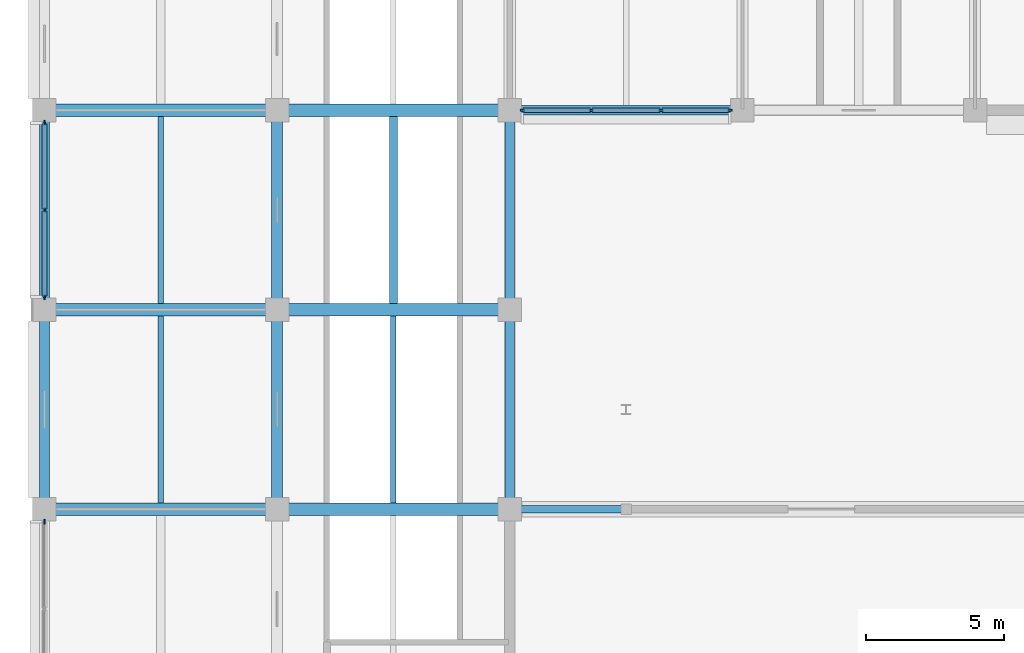
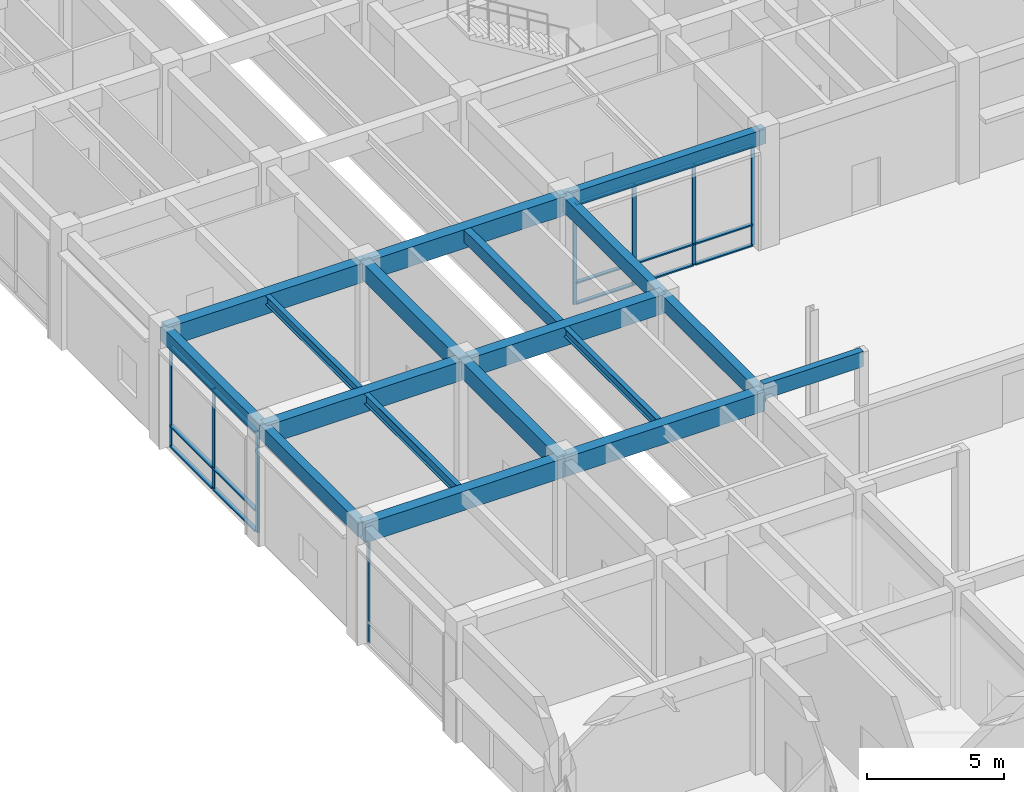
# One storey, part 12 of 73: 23 members, 18 beams, 3 elements without a shape of their own.
"""IFC4 building model written with IfcOpenShell, lengths in metres."""

from ifc_helpers import new_model, si_unit, direction, frame, origin, origin_2d, place, context, subcontext, project, spatial, rectangle, i_section, extrude, material, layer, layer_set, material_profile, profile_set, type_object, element, aggregate, save


model = new_model("IFC4")

# Units and contexts
model_context = context("Model", 3, precision=1e-05, world=origin(), true_north=direction((0.0, 1.0)))
body_context = subcontext(model_context, "Body", "Model", "MODEL_VIEW")
ifc_project = project(units=[si_unit("LENGTHUNIT", "METRE"), si_unit("AREAUNIT", "SQUARE_METRE"), si_unit("VOLUMEUNIT", "CUBIC_METRE"), si_unit("PLANEANGLEUNIT", "RADIAN"), si_unit("MASSUNIT", "GRAM", prefix="KILO")], contexts=[model_context])

# Site, building, storey
site_placement = place(None, origin())
site = spatial("IfcSite", under=ifc_project, at=site_placement, CompositionType="ELEMENT")
building_placement = place(site_placement, origin())
building = spatial("IfcBuilding", under=site, at=building_placement, Name="Chengyuan Square Courthouse", CompositionType="ELEMENT")
storey_placement = place(building_placement, origin())
storey = spatial("IfcBuildingStorey", under=building, at=storey_placement, Name="L01", CompositionType="ELEMENT", Elevation=0.0)

# Beams
ifc_material_1 = material(Name="Concrete C40", Category="concrete")
ifc_material_profile_1 = material_profile(ifc_material_1, rectangle(XDim=0.449951171875, YDim=0.85009765625, at=origin_2d()), Name="RC-BM-450x850")
ifc_profile_set_1 = profile_set([ifc_material_profile_1], Name="Concrete C40")
beam_type_1 = type_object("IfcBeamType", Name="BM-01", PredefinedType="USERDEFINED", material=ifc_profile_set_1)
beam_1_placement = place(storey_placement, frame((0.0, 64.800048828125, 4.695068359375), z_axis=(1.0, 0.0, 0.0), x_axis=(0.0, 1.0, 0.0)))
element("IfcBeam", 1, at=beam_1_placement, inside=storey, type_object=beam_type_1, Name="Girder BM-L01-1677", ObjectType="GIRDER", PredefinedType="USERDEFINED", context=body_context, shape_type="SweptSolid", body=[
    extrude(rectangle(XDim=0.449951171875, YDim=0.85009765625, at=origin_2d()), origin(), (0.0, 0.0, 1.0), 8.39990234375),
])
beam_2_placement = place(storey_placement, frame((8.39990234375, 64.800048828125, 4.695068359375), z_axis=(1.0, 0.0, 0.0), x_axis=(0.0, 1.0, 0.0)))
element("IfcBeam", 2, at=beam_2_placement, inside=storey, type_object=beam_type_1, Name="Girder BM-L01-1678", ObjectType="GIRDER", PredefinedType="USERDEFINED", context=body_context, shape_type="SweptSolid", body=[
    extrude(rectangle(XDim=0.449951171875, YDim=0.85009765625, at=origin_2d()), origin(), (0.0, 0.0, 1.0), 8.400146484375),
])
beam_3_placement = place(storey_placement, frame((0.0, 72.0, 4.695068359375), z_axis=(1.0, 0.0, 0.0), x_axis=(0.0, 1.0, 0.0)))
element("IfcBeam", 3, at=beam_3_placement, inside=storey, type_object=beam_type_1, Name="Girder BM-L01-1685", ObjectType="GIRDER", PredefinedType="USERDEFINED", context=body_context, shape_type="SweptSolid", body=[
    extrude(rectangle(XDim=0.449951171875, YDim=0.85009765625, at=origin_2d()), origin(), (0.0, 0.0, 1.0), 8.39990234375),
])
beam_4_placement = place(storey_placement, frame((8.39990234375, 72.0, 4.695068359375), z_axis=(1.0, 0.0, 0.0), x_axis=(0.0, 1.0, 0.0)))
element("IfcBeam", 4, at=beam_4_placement, inside=storey, type_object=beam_type_1, Name="Girder BM-L01-1686", ObjectType="GIRDER", PredefinedType="USERDEFINED", context=body_context, shape_type="SweptSolid", body=[
    extrude(rectangle(XDim=0.449951171875, YDim=0.85009765625, at=origin_2d()), origin(), (0.0, 0.0, 1.0), 8.400146484375),
])
beam_5_placement = place(storey_placement, frame((0.0, 79.199951171875, 4.695068359375), z_axis=(1.0, 0.0, 0.0), x_axis=(0.0, 1.0, 0.0)))
element("IfcBeam", 5, at=beam_5_placement, inside=storey, type_object=beam_type_1, Name="Girder BM-L01-1689", ObjectType="GIRDER", PredefinedType="USERDEFINED", context=body_context, shape_type="SweptSolid", body=[
    extrude(rectangle(XDim=0.449951171875, YDim=0.85009765625, at=origin_2d()), origin(), (0.0, 0.0, 1.0), 8.39990234375),
])
beam_6_placement = place(storey_placement, frame((8.39990234375, 79.199951171875, 4.695068359375), z_axis=(1.0, 0.0, 0.0), x_axis=(0.0, 1.0, 0.0)))
element("IfcBeam", 6, at=beam_6_placement, inside=storey, type_object=beam_type_1, Name="Girder BM-L01-1690", ObjectType="GIRDER", PredefinedType="USERDEFINED", context=body_context, shape_type="SweptSolid", body=[
    extrude(rectangle(XDim=0.449951171875, YDim=0.85009765625, at=origin_2d()), origin(), (0.0, 0.0, 1.0), 8.400146484375),
])
ifc_material_profile_2 = material_profile(ifc_material_1, rectangle(XDim=0.39990234375, YDim=0.75, at=origin_2d()), Name="RC-BM-400x750")
ifc_profile_set_2 = profile_set([ifc_material_profile_2], Name="Concrete C40")
beam_type_2 = type_object("IfcBeamType", Name="BM-02", PredefinedType="USERDEFINED", material=ifc_profile_set_2)
for number, where, z_axis, x_axis, name in (
    (7, (8.39990234375, 64.800048828125, 4.7451171875), (0.0, 1.0, 0.0), (-1.0, 0.0, 0.0), "Girder BM-L01-1821"),
    (8, (8.39990234375, 72.0, 4.7451171875), (0.0, 1.0, 0.0), (-1.0, 0.0, 0.0), "Girder BM-L01-1822"),
):
    element("IfcBeam", number, at=place(storey_placement, frame(where, z_axis=z_axis, x_axis=x_axis)), inside=storey, type_object=beam_type_2, Name=name, ObjectType="GIRDER", PredefinedType="USERDEFINED", context=body_context, shape_type="SweptSolid", body=[
        extrude(rectangle(XDim=0.39990234375, YDim=0.75, at=origin_2d()), origin(), (0.0, 0.0, 1.0), 7.199951171875),
    ])
ifc_material_profile_3 = material_profile(ifc_material_1, rectangle(XDim=0.35009765625, YDim=0.64990234375, at=origin_2d()), Name="RC-BM-350x650")
ifc_profile_set_3 = profile_set([ifc_material_profile_3], Name="Concrete C40")
beam_type_3 = type_object("IfcBeamType", Name="BM-03", PredefinedType="SPANDREL", material=ifc_profile_set_3)
beam_7_placement = place(storey_placement, frame((16.800048828125, 79.199951171875, 4.794921875), z_axis=(1.0, 0.0, 0.0), x_axis=(0.0, 1.0, 0.0)))
element("IfcBeam", 9, at=beam_7_placement, inside=storey, type_object=beam_type_3, Name="Girder BM-L01-1691", PredefinedType="SPANDREL", context=body_context, shape_type="SweptSolid", body=[
    extrude(rectangle(XDim=0.35009765625, YDim=0.64990234375, at=origin_2d()), origin(), (0.0, 0.0, 1.0), 8.39990234375),
])
for number, where, z_axis, x_axis, name in (
    (10, (0.0, 64.800048828125, 4.794921875), (0.0, 1.0, 0.0), (-1.0, 0.0, 0.0), "Girder BM-L01-1806"),
    (11, (0.0, 72.0, 4.794921875), (0.0, 1.0, 0.0), (-1.0, 0.0, 0.0), "Girder BM-L01-1807"),
    (12, (16.800048828125, 64.800048828125, 4.794921875), (0.0, 1.0, 0.0), (-1.0, 0.0, 0.0), "Girder BM-L01-1836"),
    (13, (16.800048828125, 72.0, 4.794921875), (0.0, 1.0, 0.0), (-1.0, 0.0, 0.0), "Girder BM-L01-1837"),
):
    element("IfcBeam", number, at=place(storey_placement, frame(where, z_axis=z_axis, x_axis=x_axis)), inside=storey, type_object=beam_type_3, Name=name, PredefinedType="SPANDREL", context=body_context, shape_type="SweptSolid", body=[
        extrude(rectangle(XDim=0.35009765625, YDim=0.64990234375, at=origin_2d()), origin(), (0.0, 0.0, 1.0), 7.199951171875),
    ])
ifc_material_profile_4 = material_profile(ifc_material_1, rectangle(XDim=0.300048828125, YDim=0.550048828125, at=origin_2d()), Name="RC-BM-300x550")
ifc_profile_set_4 = profile_set([ifc_material_profile_4], Name="Concrete C40")
beam_type_4 = type_object("IfcBeamType", Name="BM-04", PredefinedType="BEAM", material=ifc_profile_set_4)
beam_8_placement = place(storey_placement, frame((12.60009765625, 72.22509765625, 4.844970703125), z_axis=(0.0, 1.0, 0.0), x_axis=(-1.0, 0.0, 0.0)))
element("IfcBeam", 14, at=beam_8_placement, inside=storey, type_object=beam_type_4, Name="Secondary Floor Beam SBM-L01-1981", PredefinedType="BEAM", context=body_context, shape_type="SweptSolid", body=[
    extrude(rectangle(XDim=0.300048828125, YDim=0.550048828125, at=origin_2d()), origin(), (0.0, 0.0, 1.0), 6.75),
])
ifc_material_2 = material(Name="Steel Q355B", Category="steel")
ifc_material_profile_5 = material_profile(ifc_material_2, i_section(OverallWidth=0.199951171875, OverallDepth=0.449951171875, WebThickness=0.009033203125, FlangeThickness=0.013916015625, at=origin_2d()), Name="HN 450x200x9x14")
ifc_profile_set_5 = profile_set([ifc_material_profile_5], Name="Steel Q355B")
beam_type_5 = type_object("IfcBeamType", Name="BM-06", PredefinedType="BEAM", material=ifc_profile_set_5)
beam_9_placement = place(storey_placement, frame((4.199951171875, 65.02490234375, 4.89501953125), z_axis=(0.0, 1.0, 0.0), x_axis=(-1.0, 0.0, 0.0)))
element("IfcBeam", 15, at=beam_9_placement, inside=storey, type_object=beam_type_5, Name="Secondary Floor Beam SBM-L01-1966", PredefinedType="BEAM", context=body_context, shape_type="SweptSolid", body=[
    extrude(i_section(OverallWidth=0.199951171875, OverallDepth=0.449951171875, WebThickness=0.009033203125, FlangeThickness=0.013916015625, at=origin_2d()), origin(), (0.0, 0.0, 1.0), 6.75),
])
ifc_material_profile_6 = material_profile(ifc_material_2, i_section(OverallWidth=0.199951171875, OverallDepth=0.39990234375, WebThickness=0.008056640625, FlangeThickness=0.012939453125, at=origin_2d()), Name="HN 400x200x8x13")
ifc_profile_set_6 = profile_set([ifc_material_profile_6], Name="Steel Q355B")
beam_type_6 = type_object("IfcBeamType", Name="BM-07", PredefinedType="BEAM", material=ifc_profile_set_6)
for number, where, z_axis, x_axis, name in (
    (16, (4.199951171875, 72.22509765625, 4.919921875), (0.0, 1.0, 0.0), (-1.0, 0.0, 0.0), "Secondary Floor Beam SBM-L01-1967"),
    (17, (12.60009765625, 65.02490234375, 4.919921875), (0.0, 1.0, 0.0), (-1.0, 0.0, 0.0), "Secondary Floor Beam SBM-L01-1980"),
):
    element("IfcBeam", number, at=place(storey_placement, frame(where, z_axis=z_axis, x_axis=x_axis)), inside=storey, type_object=beam_type_6, Name=name, PredefinedType="BEAM", context=body_context, shape_type="SweptSolid", body=[
        extrude(i_section(OverallWidth=0.199951171875, OverallDepth=0.39990234375, WebThickness=0.008056640625, FlangeThickness=0.012939453125, at=origin_2d()), origin(), (0.0, 0.0, 1.0), 6.75),
    ])

# Curtain wall, members
ifc_material_3 = material(Name="Unitised Aluminium and Triple Low-E Glass", Category="aluminium")
ifc_layer_1 = layer(ifc_material_3, 0.159912109375)
ifc_layer_set_1 = layer_set([ifc_layer_1], Name="Unitised Aluminium and Triple Low-E Glass")
curtain_wall_type_1 = type_object("IfcCurtainWallType", Name="CW-01", PredefinedType="USERDEFINED", material=ifc_layer_set_1)
curtain_wall_1_placement = place(storey_placement, origin())
curtain_wall_1 = element("IfcCurtainWall", 18, at=curtain_wall_1_placement, inside=storey, type_object=curtain_wall_type_1, Name="Unitised Curtain Wall CW-L01-014", ObjectType="UNITISED CURTAIN WALL", PredefinedType="USERDEFINED")
ifc_material_4 = material(Name="Aluminium 6063-T6 Frame", Category="aluminium")
ifc_material_profile_7 = material_profile(ifc_material_4, rectangle(XDim=0.06005859375, YDim=0.159912109375, at=origin_2d()), Name="CW-MUL-60x160")
ifc_profile_set_7 = profile_set([ifc_material_profile_7], Name="Aluminium 6063-T6 Frame")
member_type_1 = type_object("IfcMemberType", Name="CWM-01", PredefinedType="MULLION", material=ifc_profile_set_7)
member_1_placement = place(storey_placement, frame((17.2548828125, 79.199951171875, 0.0), z_axis=(0.0, 0.0, 1.0), x_axis=(0.0, 1.0, 0.0)))
member_1 = element("IfcMember", 19, at=member_1_placement, type_object=member_type_1, Name="CW-01 mullion 1", PredefinedType="MULLION", context=body_context, shape_type="SweptSolid", body=[
    extrude(rectangle(XDim=0.06005859375, YDim=0.159912109375, at=origin_2d()), origin(), (0.0, 0.0, 1.0), 4.469970703125),
])
member_2_placement = place(storey_placement, frame((19.74169921875, 79.199951171875, 0.0), z_axis=(0.0, 0.0, 1.0), x_axis=(0.0, 1.0, 0.0)))
member_2 = element("IfcMember", 20, at=member_2_placement, type_object=member_type_1, Name="CW-01 mullion 2", PredefinedType="MULLION", context=body_context, shape_type="SweptSolid", body=[
    extrude(rectangle(XDim=0.06005859375, YDim=0.159912109375, at=origin_2d()), origin(), (0.0, 0.0, 1.0), 4.469970703125),
])
member_3_placement = place(storey_placement, frame((22.25830078125, 79.199951171875, 0.0), z_axis=(0.0, 0.0, 1.0), x_axis=(0.0, 1.0, 0.0)))
member_3 = element("IfcMember", 21, at=member_3_placement, type_object=member_type_1, Name="CW-01 mullion 3", PredefinedType="MULLION", context=body_context, shape_type="SweptSolid", body=[
    extrude(rectangle(XDim=0.06005859375, YDim=0.159912109375, at=origin_2d()), origin(), (0.0, 0.0, 1.0), 4.469970703125),
])
member_4_placement = place(storey_placement, frame((24.7451171875, 79.199951171875, 0.0), z_axis=(0.0, 0.0, 1.0), x_axis=(0.0, 1.0, 0.0)))
member_4 = element("IfcMember", 22, at=member_4_placement, type_object=member_type_1, Name="CW-01 mullion 4", PredefinedType="MULLION", context=body_context, shape_type="SweptSolid", body=[
    extrude(rectangle(XDim=0.06005859375, YDim=0.159912109375, at=origin_2d()), origin(), (0.0, 0.0, 1.0), 4.469970703125),
])

# Curtain wall, member
ifc_layer_2 = layer(ifc_material_3, 0.179931640625)
ifc_layer_set_2 = layer_set([ifc_layer_2], Name="Unitised Aluminium and Triple Low-E Glass")
curtain_wall_type_2 = type_object("IfcCurtainWallType", Name="CW-14", PredefinedType="USERDEFINED", material=ifc_layer_set_2)
curtain_wall_2_placement = place(storey_placement, origin())
curtain_wall_2 = element("IfcCurtainWall", 23, at=curtain_wall_2_placement, inside=storey, type_object=curtain_wall_type_2, Name="Unitised Curtain Wall CW-L01-006", ObjectType="UNITISED CURTAIN WALL", PredefinedType="USERDEFINED")
ifc_material_profile_8 = material_profile(ifc_material_4, rectangle(XDim=0.06494140625, YDim=0.179931640625, at=origin_2d()), Name="CW-MUL-65x180")
ifc_profile_set_8 = profile_set([ifc_material_profile_8], Name="Aluminium 6063-T6 Frame")
member_type_2 = type_object("IfcMemberType", Name="CWM-02", PredefinedType="MULLION", material=ifc_profile_set_8)
member_5_placement = place(storey_placement, frame((0.0, 64.342529296875, 0.0), z_axis=(0.0, 0.0, 1.0), x_axis=(-1.0, 0.0, 0.0)))
member_5 = element("IfcMember", 24, at=member_5_placement, type_object=member_type_2, Name="CW-14 mullion 3", PredefinedType="MULLION", context=body_context, shape_type="SweptSolid", body=[
    extrude(rectangle(XDim=0.06494140625, YDim=0.179931640625, at=origin_2d()), origin(), (0.0, 0.0, 1.0), 4.469970703125),
])
aggregate(curtain_wall_2, [member_5])

# Curtain wall, members
curtain_wall_3_placement = place(storey_placement, origin())
curtain_wall_3 = element("IfcCurtainWall", 25, at=curtain_wall_3_placement, inside=storey, type_object=curtain_wall_type_2, Name="Unitised Curtain Wall CW-L01-007", ObjectType="UNITISED CURTAIN WALL", PredefinedType="USERDEFINED")
member_6_placement = place(storey_placement, frame((0.0, 72.45751953125, 0.0), z_axis=(0.0, 0.0, 1.0), x_axis=(-1.0, 0.0, 0.0)))
member_6 = element("IfcMember", 26, at=member_6_placement, type_object=member_type_2, Name="CW-14 mullion 1", PredefinedType="MULLION", context=body_context, shape_type="SweptSolid", body=[
    extrude(rectangle(XDim=0.06494140625, YDim=0.179931640625, at=origin_2d()), origin(), (0.0, 0.0, 1.0), 4.469970703125),
])
member_7_placement = place(storey_placement, frame((0.0, 75.60009765625, 0.0), z_axis=(0.0, 0.0, 1.0), x_axis=(-1.0, 0.0, 0.0)))
member_7 = element("IfcMember", 27, at=member_7_placement, type_object=member_type_2, Name="CW-14 mullion 2", PredefinedType="MULLION", context=body_context, shape_type="SweptSolid", body=[
    extrude(rectangle(XDim=0.06494140625, YDim=0.179931640625, at=origin_2d()), origin(), (0.0, 0.0, 1.0), 4.469970703125),
])
member_8_placement = place(storey_placement, frame((0.0, 78.742431640625, 0.0), z_axis=(0.0, 0.0, 1.0), x_axis=(-1.0, 0.0, 0.0)))
member_8 = element("IfcMember", 28, at=member_8_placement, type_object=member_type_2, Name="CW-14 mullion 3", PredefinedType="MULLION", context=body_context, shape_type="SweptSolid", body=[
    extrude(rectangle(XDim=0.06494140625, YDim=0.179931640625, at=origin_2d()), origin(), (0.0, 0.0, 1.0), 4.469970703125),
])

# Member
ifc_material_profile_9 = material_profile(ifc_material_4, rectangle(XDim=0.159912109375, YDim=0.06005859375, at=origin_2d()), Name="CW-TRN-60x120")
ifc_profile_set_9 = profile_set([ifc_material_profile_9], Name="Aluminium 6063-T6 Frame")
member_type_3 = type_object("IfcMemberType", Name="CWT-01", PredefinedType="USERDEFINED", material=ifc_profile_set_9)
member_9_placement = place(storey_placement, frame((17.284912109375, 79.199951171875, 0.030029296875), z_axis=(1.0, 0.0, 0.0), x_axis=(0.0, 1.0, 0.0)))
member_9 = element("IfcMember", 29, at=member_9_placement, type_object=member_type_3, Name="CW-01 transom 1.1", ObjectType="TRANSOM", PredefinedType="USERDEFINED", context=body_context, shape_type="SweptSolid", body=[
    extrude(rectangle(XDim=0.159912109375, YDim=0.06005859375, at=origin_2d()), origin(), (0.0, 0.0, 1.0), 2.4267578125),
])

member_10_placement = place(storey_placement, frame((17.284912109375, 79.199951171875, 0.949951171875), z_axis=(1.0, 0.0, 0.0), x_axis=(0.0, 1.0, 0.0)))
member_10 = element("IfcMember", 30, at=member_10_placement, type_object=member_type_3, Name="CW-01 transom 1.2", ObjectType="TRANSOM", PredefinedType="USERDEFINED", context=body_context, shape_type="SweptSolid", body=[
    extrude(rectangle(XDim=0.159912109375, YDim=0.06005859375, at=origin_2d()), origin(), (0.0, 0.0, 1.0), 2.4267578125),
])

member_11_placement = place(storey_placement, frame((17.284912109375, 79.199951171875, 4.43994140625), z_axis=(1.0, 0.0, 0.0), x_axis=(0.0, 1.0, 0.0)))
member_11 = element("IfcMember", 31, at=member_11_placement, type_object=member_type_3, Name="CW-01 transom 1.3", ObjectType="TRANSOM", PredefinedType="USERDEFINED", context=body_context, shape_type="SweptSolid", body=[
    extrude(rectangle(XDim=0.159912109375, YDim=0.06005859375, at=origin_2d()), origin(), (0.0, 0.0, 1.0), 2.4267578125),
])

member_12_placement = place(storey_placement, frame((19.771728515625, 79.199951171875, 0.030029296875), z_axis=(1.0, 0.0, 0.0), x_axis=(0.0, 1.0, 0.0)))
member_12 = element("IfcMember", 32, at=member_12_placement, type_object=member_type_3, Name="CW-01 transom 2.1", ObjectType="TRANSOM", PredefinedType="USERDEFINED", context=body_context, shape_type="SweptSolid", body=[
    extrude(rectangle(XDim=0.159912109375, YDim=0.06005859375, at=origin_2d()), origin(), (0.0, 0.0, 1.0), 2.45654296875),
])

member_13_placement = place(storey_placement, frame((19.771728515625, 79.199951171875, 0.949951171875), z_axis=(1.0, 0.0, 0.0), x_axis=(0.0, 1.0, 0.0)))
member_13 = element("IfcMember", 33, at=member_13_placement, type_object=member_type_3, Name="CW-01 transom 2.2", ObjectType="TRANSOM", PredefinedType="USERDEFINED", context=body_context, shape_type="SweptSolid", body=[
    extrude(rectangle(XDim=0.159912109375, YDim=0.06005859375, at=origin_2d()), origin(), (0.0, 0.0, 1.0), 2.45654296875),
])

member_14_placement = place(storey_placement, frame((19.771728515625, 79.199951171875, 4.43994140625), z_axis=(1.0, 0.0, 0.0), x_axis=(0.0, 1.0, 0.0)))
member_14 = element("IfcMember", 34, at=member_14_placement, type_object=member_type_3, Name="CW-01 transom 2.3", ObjectType="TRANSOM", PredefinedType="USERDEFINED", context=body_context, shape_type="SweptSolid", body=[
    extrude(rectangle(XDim=0.159912109375, YDim=0.06005859375, at=origin_2d()), origin(), (0.0, 0.0, 1.0), 2.45654296875),
])

member_15_placement = place(storey_placement, frame((22.288330078125, 79.199951171875, 0.030029296875), z_axis=(1.0, 0.0, 0.0), x_axis=(0.0, 1.0, 0.0)))
member_15 = element("IfcMember", 35, at=member_15_placement, type_object=member_type_3, Name="CW-01 transom 3.1", ObjectType="TRANSOM", PredefinedType="USERDEFINED", context=body_context, shape_type="SweptSolid", body=[
    extrude(rectangle(XDim=0.159912109375, YDim=0.06005859375, at=origin_2d()), origin(), (0.0, 0.0, 1.0), 2.4267578125),
])

member_16_placement = place(storey_placement, frame((22.288330078125, 79.199951171875, 0.949951171875), z_axis=(1.0, 0.0, 0.0), x_axis=(0.0, 1.0, 0.0)))
member_16 = element("IfcMember", 36, at=member_16_placement, type_object=member_type_3, Name="CW-01 transom 3.2", ObjectType="TRANSOM", PredefinedType="USERDEFINED", context=body_context, shape_type="SweptSolid", body=[
    extrude(rectangle(XDim=0.159912109375, YDim=0.06005859375, at=origin_2d()), origin(), (0.0, 0.0, 1.0), 2.4267578125),
])

member_17_placement = place(storey_placement, frame((22.288330078125, 79.199951171875, 4.43994140625), z_axis=(1.0, 0.0, 0.0), x_axis=(0.0, 1.0, 0.0)))
member_17 = element("IfcMember", 37, at=member_17_placement, type_object=member_type_3, Name="CW-01 transom 3.3", ObjectType="TRANSOM", PredefinedType="USERDEFINED", context=body_context, shape_type="SweptSolid", body=[
    extrude(rectangle(XDim=0.159912109375, YDim=0.06005859375, at=origin_2d()), origin(), (0.0, 0.0, 1.0), 2.4267578125),
])

aggregate(curtain_wall_1, [member_1, member_2, member_3, member_4, member_9, member_10, member_11, member_12, member_13, member_14, member_15, member_16, member_17])

ifc_material_profile_10 = material_profile(ifc_material_4, rectangle(XDim=0.179931640625, YDim=0.06494140625, at=origin_2d()), Name="CW-TRN-65x140")
ifc_profile_set_10 = profile_set([ifc_material_profile_10], Name="Aluminium 6063-T6 Frame")
member_type_4 = type_object("IfcMemberType", Name="CWT-02", PredefinedType="USERDEFINED", material=ifc_profile_set_10)
member_18_placement = place(storey_placement, frame((0.0, 72.489990234375, 0.032470703125), z_axis=(0.0, 1.0, 0.0), x_axis=(-1.0, 0.0, 0.0)))
member_18 = element("IfcMember", 38, at=member_18_placement, type_object=member_type_4, Name="CW-14 transom 1.1", ObjectType="TRANSOM", PredefinedType="USERDEFINED", context=body_context, shape_type="SweptSolid", body=[
    extrude(rectangle(XDim=0.179931640625, YDim=0.06494140625, at=origin_2d()), origin(), (0.0, 0.0, 1.0), 3.077392578125),
])

member_19_placement = place(storey_placement, frame((0.0, 72.489990234375, 0.949951171875), z_axis=(0.0, 1.0, 0.0), x_axis=(-1.0, 0.0, 0.0)))
member_19 = element("IfcMember", 39, at=member_19_placement, type_object=member_type_4, Name="CW-14 transom 1.2", ObjectType="TRANSOM", PredefinedType="USERDEFINED", context=body_context, shape_type="SweptSolid", body=[
    extrude(rectangle(XDim=0.179931640625, YDim=0.06494140625, at=origin_2d()), origin(), (0.0, 0.0, 1.0), 3.077392578125),
])

member_20_placement = place(storey_placement, frame((0.0, 72.489990234375, 4.4375), z_axis=(0.0, 1.0, 0.0), x_axis=(-1.0, 0.0, 0.0)))
member_20 = element("IfcMember", 40, at=member_20_placement, type_object=member_type_4, Name="CW-14 transom 1.3", ObjectType="TRANSOM", PredefinedType="USERDEFINED", context=body_context, shape_type="SweptSolid", body=[
    extrude(rectangle(XDim=0.179931640625, YDim=0.06494140625, at=origin_2d()), origin(), (0.0, 0.0, 1.0), 3.077392578125),
])

member_21_placement = place(storey_placement, frame((0.0, 75.632568359375, 0.032470703125), z_axis=(0.0, 1.0, 0.0), x_axis=(-1.0, 0.0, 0.0)))
member_21 = element("IfcMember", 41, at=member_21_placement, type_object=member_type_4, Name="CW-14 transom 2.1", ObjectType="TRANSOM", PredefinedType="USERDEFINED", context=body_context, shape_type="SweptSolid", body=[
    extrude(rectangle(XDim=0.179931640625, YDim=0.06494140625, at=origin_2d()), origin(), (0.0, 0.0, 1.0), 3.077392578125),
])

member_22_placement = place(storey_placement, frame((0.0, 75.632568359375, 0.949951171875), z_axis=(0.0, 1.0, 0.0), x_axis=(-1.0, 0.0, 0.0)))
member_22 = element("IfcMember", 42, at=member_22_placement, type_object=member_type_4, Name="CW-14 transom 2.2", ObjectType="TRANSOM", PredefinedType="USERDEFINED", context=body_context, shape_type="SweptSolid", body=[
    extrude(rectangle(XDim=0.179931640625, YDim=0.06494140625, at=origin_2d()), origin(), (0.0, 0.0, 1.0), 3.077392578125),
])

member_23_placement = place(storey_placement, frame((0.0, 75.632568359375, 4.4375), z_axis=(0.0, 1.0, 0.0), x_axis=(-1.0, 0.0, 0.0)))
member_23 = element("IfcMember", 43, at=member_23_placement, type_object=member_type_4, Name="CW-14 transom 2.3", ObjectType="TRANSOM", PredefinedType="USERDEFINED", context=body_context, shape_type="SweptSolid", body=[
    extrude(rectangle(XDim=0.179931640625, YDim=0.06494140625, at=origin_2d()), origin(), (0.0, 0.0, 1.0), 3.077392578125),
])

aggregate(curtain_wall_3, [member_6, member_7, member_8, member_18, member_19, member_20, member_21, member_22, member_23])

# Beam
ifc_material_5 = material(Name="Glulam TCt28", Category="wood")
ifc_material_profile_11 = material_profile(ifc_material_5, rectangle(XDim=0.280029296875, YDim=0.679931640625, at=origin_2d()), Name="GL-BM-280x680")
ifc_profile_set_11 = profile_set([ifc_material_profile_11], Name="Glulam TCt28")
beam_type_7 = type_object("IfcBeamType", Name="GLB-01", PredefinedType="BEAM", material=ifc_profile_set_11)
beam_10_placement = place(storey_placement, frame((16.800048828125, 64.800048828125, 5.06005859375), z_axis=(1.0, 0.0, 0.0), x_axis=(0.0, 1.0, 0.0)))
element("IfcBeam", 44, at=beam_10_placement, inside=storey, type_object=beam_type_7, Name="Glulam Colonnade Portal Beam GLB-L01-019", PredefinedType="BEAM", context=body_context, shape_type="SweptSolid", body=[
    extrude(rectangle(XDim=0.280029296875, YDim=0.679931640625, at=origin_2d()), origin(), (0.0, 0.0, 1.0), 4.199951171875),
])

save(model, "model.ifc")
